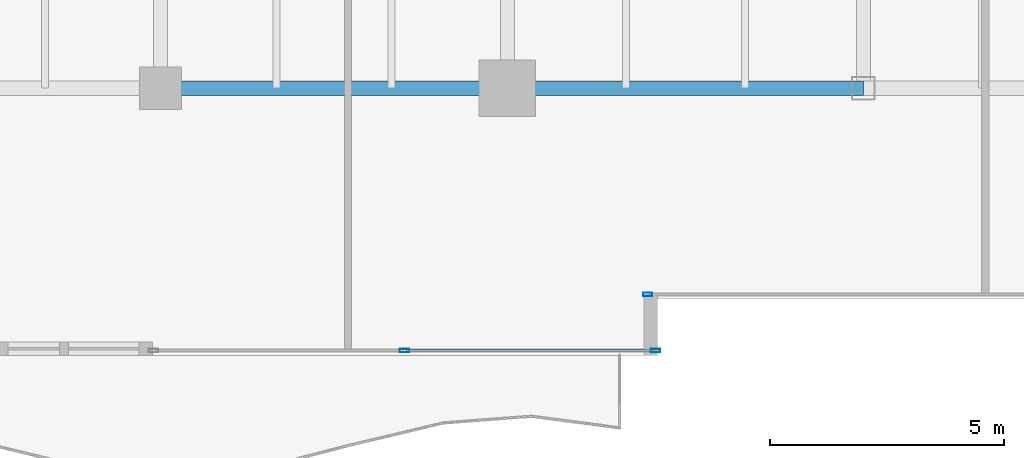
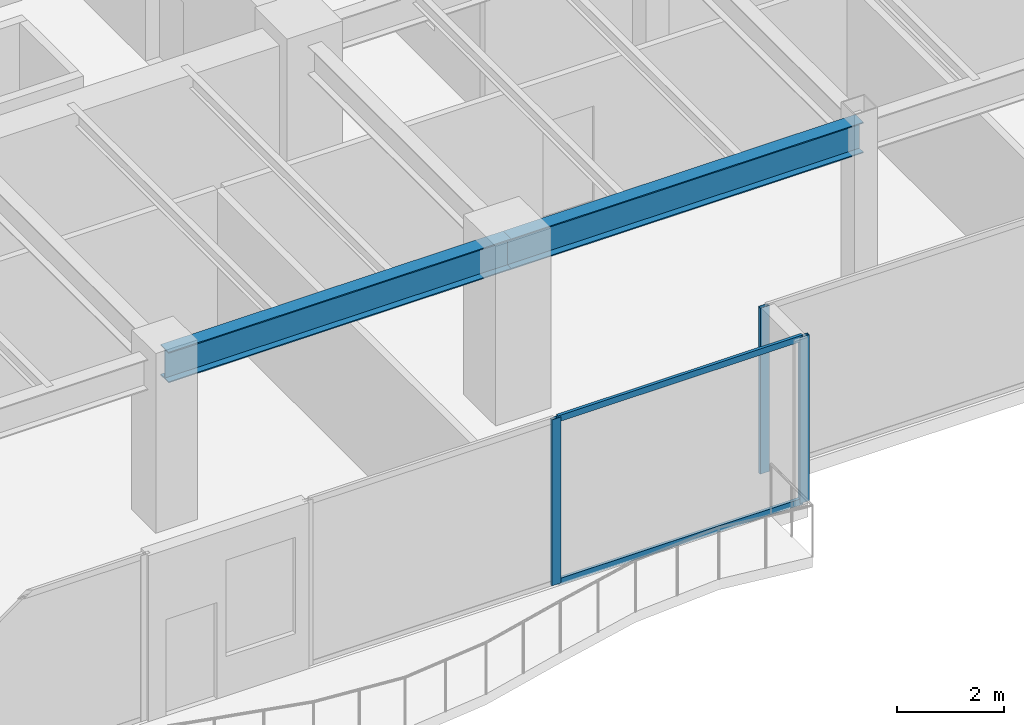
# One storey, part 4 of 30: 5 members, 2 beams, 2 elements without a shape of their own.
"""IFC4 building model written with IfcOpenShell, lengths in metres."""

from ifc_helpers import new_model, si_unit, direction, frame, origin, origin_2d, place, context, subcontext, project, spatial, hollow_rectangle, i_section, extrude, source, transform, mapped, material, layer, layer_set, material_profile, profile_set, type_object, type_shapes, element, aggregate, save


model = new_model("IFC4")

# Units and contexts
model_context = context("Model", 3, precision=1e-05, world=origin(), true_north=direction((0.0, 1.0)))
body_context = subcontext(model_context, "Body", "Model", "MODEL_VIEW")
ifc_project = project(units=[si_unit("LENGTHUNIT", "METRE"), si_unit("AREAUNIT", "SQUARE_METRE"), si_unit("VOLUMEUNIT", "CUBIC_METRE"), si_unit("PLANEANGLEUNIT", "RADIAN"), si_unit("MASSUNIT", "GRAM", prefix="KILO")], contexts=[model_context])

# Site, building, storey
site_placement = place(None, origin())
site = spatial("IfcSite", under=ifc_project, at=site_placement, CompositionType="ELEMENT")
building_placement = place(site_placement, origin())
building = spatial("IfcBuilding", under=site, at=building_placement, Name="Haelvirn Gate Laboratories", CompositionType="ELEMENT")
storey_placement = place(building_placement, frame((0.0, 0.0, 146.10009765625)))
storey = spatial("IfcBuildingStorey", under=building, at=storey_placement, Name="L35", CompositionType="ELEMENT", Elevation=146.10009765625)

# Beams
ifc_material_1 = material(Name="Steel SM355", Category="steel")
ifc_material_profile_1 = material_profile(ifc_material_1, i_section(OverallWidth=0.300048828125, OverallDepth=0.699951171875, WebThickness=0.012939453125, FlangeThickness=0.02392578125, at=origin_2d()), Name="H-700x300x13x24")
ifc_profile_set_1 = profile_set([ifc_material_profile_1], Name="Steel SM355")
beam_type = type_object("IfcBeamType", Name="BM-G-700", PredefinedType="BEAM", material=ifc_profile_set_1)
shared_shape_1 = source(origin(), body_context, "Body", "SweptSolid", [
    extrude(i_section(OverallWidth=0.300048828125, OverallDepth=0.699951171875, WebThickness=0.012939453125, FlangeThickness=0.02392578125, at=origin_2d()), origin(), (0.0, 0.0, 1.0), 7.39990234375),
])
beam_1_placement = place(storey_placement, frame((14.800048828125, 7.0, 3.43994140625), z_axis=(1.0, 0.0, 0.0), x_axis=(0.0, 1.0, 0.0)))
element("IfcBeam", 1, at=beam_1_placement, inside=storey, type_object=beam_type, Name="L35 Primary Girder Y7.0 (14.8-22.2)", PredefinedType="BEAM", context=body_context, shape_type="MappedRepresentation", body=[
    mapped(shared_shape_1, transform((0.0, 0.0, 0.0), scale=1.0)),
])
shared_shape_2 = source(origin(), body_context, "Body", "SweptSolid", [
    extrude(i_section(OverallWidth=0.300048828125, OverallDepth=0.699951171875, WebThickness=0.012939453125, FlangeThickness=0.02392578125, at=origin_2d()), origin(), (0.0, 0.0, 1.0), 7.60009765625),
])
type_shapes(beam_type, [shared_shape_1, shared_shape_2])
beam_2_placement = place(storey_placement, frame((22.199951171875, 7.0, 3.43994140625), z_axis=(1.0, 0.0, 0.0), x_axis=(0.0, 1.0, 0.0)))
element("IfcBeam", 2, at=beam_2_placement, inside=storey, type_object=beam_type, Name="L35 Primary Girder Y7.0 (22.2-29.8)", PredefinedType="BEAM", context=body_context, shape_type="MappedRepresentation", body=[
    mapped(shared_shape_2, transform((0.0, 0.0, 0.0), scale=1.0)),
])

# Curtain wall, members
ifc_material_2 = material(Name="Anodised bronze unitised aluminium & triple low-E glass", Category="aluminium")
ifc_layer = layer(ifc_material_2, 0.179931640625, Name="CW-SYS-3")
ifc_layer_set = layer_set([ifc_layer], Name="Anodised bronze unitised aluminium & triple low-E glass")
curtain_wall_type = type_object("IfcCurtainWallType", Name="CW-SYS-3", PredefinedType="NOTDEFINED", material=ifc_layer_set)
curtain_wall_1_placement = place(storey_placement, origin())
curtain_wall_1 = element("IfcCurtainWall", 3, at=curtain_wall_1_placement, inside=storey, type_object=curtain_wall_type, Name="L35 Unitised Curtain Wall CW-L35-P0-E00-2", PredefinedType="NOTDEFINED")
ifc_material_3 = material(Name="Extruded aluminium 6063-T6 (anodised bronze)", Category="aluminium")
ifc_material_profile_2 = material_profile(ifc_material_3, hollow_rectangle(XDim=0.074951171875, YDim=0.199951171875, WallThickness=0.0048828125, at=origin_2d()), Name="CWM-200x75x5")
ifc_profile_set_2 = profile_set([ifc_material_profile_2], Name="Extruded aluminium 6063-T6 (anodised bronze)")
member_type_1 = type_object("IfcMemberType", Name="CWM-T200", PredefinedType="MULLION", material=ifc_profile_set_2)
shared_shape_3 = source(origin(), body_context, "Body", "SweptSolid", [
    extrude(hollow_rectangle(XDim=0.074951171875, YDim=0.199951171875, WallThickness=0.0048828125, at=origin_2d()), origin(), (0.0, 0.0, 1.0), 3.789794921875),
])
type_shapes(member_type_1, [shared_shape_3])
member_1_placement = place(storey_placement, frame((20.0048828125, 1.39990234375, 0.0), z_axis=(0.0, 0.0, 1.0), x_axis=(0.0, 1.0, 0.0)))
member_1 = element("IfcMember", 4, at=member_1_placement, type_object=member_type_1, Name="CW3 mullion 2", PredefinedType="MULLION", context=body_context, shape_type="MappedRepresentation", body=[
    mapped(shared_shape_3, transform((0.0, 0.0, 0.0), scale=1.0)),
])
member_2_placement = place(storey_placement, frame((25.362548828125, 1.39990234375, 0.0), z_axis=(0.0, 0.0, 1.0), x_axis=(0.0, 1.0, 0.0)))
member_2 = element("IfcMember", 5, at=member_2_placement, type_object=member_type_1, Name="CW3 mullion 3", PredefinedType="MULLION", context=body_context, shape_type="MappedRepresentation", body=[
    mapped(shared_shape_3, transform((0.0, 0.0, 0.0), scale=1.0)),
])

# Curtain wall, member
curtain_wall_2_placement = place(storey_placement, origin())
curtain_wall_2 = element("IfcCurtainWall", 6, at=curtain_wall_2_placement, inside=storey, type_object=curtain_wall_type, Name="L35 Unitised Curtain Wall CW-L35-P0-E02-1", PredefinedType="NOTDEFINED")
member_3_placement = place(storey_placement, frame((25.197509765625, 2.60009765625, 0.0), z_axis=(0.0, 0.0, 1.0), x_axis=(0.0, 1.0, 0.0)))
member_3 = element("IfcMember", 7, at=member_3_placement, type_object=member_type_1, Name="CW3 mullion 1", PredefinedType="MULLION", context=body_context, shape_type="MappedRepresentation", body=[
    mapped(shared_shape_3, transform((0.0, 0.0, 0.0), scale=1.0)),
])
aggregate(curtain_wall_2, [member_3])

# Member
ifc_material_profile_3 = material_profile(ifc_material_3, hollow_rectangle(XDim=0.06494140625, YDim=0.139892578125, WallThickness=0.00390625, at=origin_2d()), Name="CWT-140x65x4")
ifc_profile_set_3 = profile_set([ifc_material_profile_3], Name="Extruded aluminium 6063-T6 (anodised bronze)")
member_type_2 = type_object("IfcMemberType", Name="CWT-T140", PredefinedType="USERDEFINED", material=ifc_profile_set_3)
shared_shape_4 = source(origin(), body_context, "Body", "SweptSolid", [
    extrude(hollow_rectangle(XDim=0.06494140625, YDim=0.139892578125, WallThickness=0.00390625, at=origin_2d()), origin(), (0.0, 0.0, 1.0), 5.282470703125),
])
type_shapes(member_type_2, [shared_shape_4])
member_4_placement = place(storey_placement, frame((20.04248046875, 1.39990234375, 0.032470703125), z_axis=(1.0, 0.0, 0.0), x_axis=(0.0, 1.0, 0.0)))
member_4 = element("IfcMember", 8, at=member_4_placement, type_object=member_type_2, Name="CW3 transom 2.1", ObjectType="TRANSOM", PredefinedType="USERDEFINED", context=body_context, shape_type="MappedRepresentation", body=[
    mapped(shared_shape_4, transform((0.0, 0.0, 0.0), scale=1.0)),
])

member_5_placement = place(storey_placement, frame((20.04248046875, 1.39990234375, 3.75732421875), z_axis=(1.0, 0.0, 0.0), x_axis=(0.0, 1.0, 0.0)))
member_5 = element("IfcMember", 9, at=member_5_placement, type_object=member_type_2, Name="CW3 transom 2.2", ObjectType="TRANSOM", PredefinedType="USERDEFINED", context=body_context, shape_type="MappedRepresentation", body=[
    mapped(shared_shape_4, transform((0.0, 0.0, 0.0), scale=1.0)),
])

aggregate(curtain_wall_1, [member_1, member_2, member_4, member_5])

save(model, "model.ifc")
